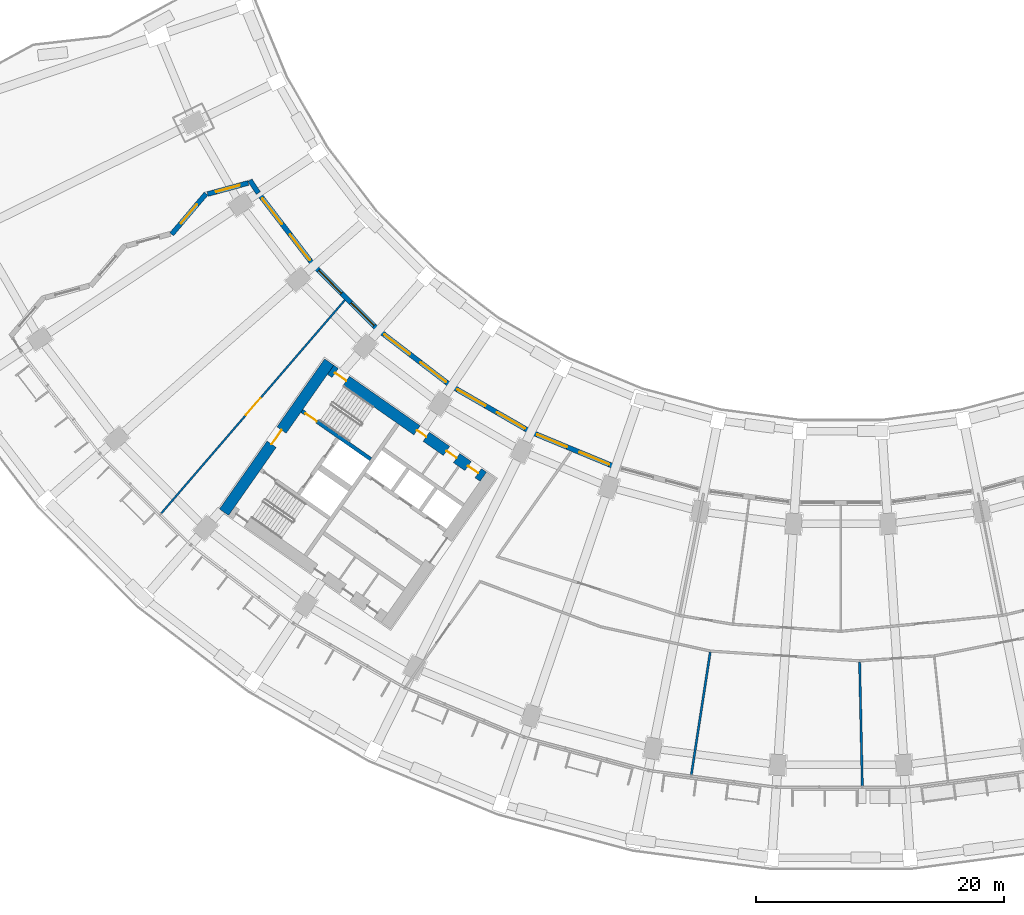
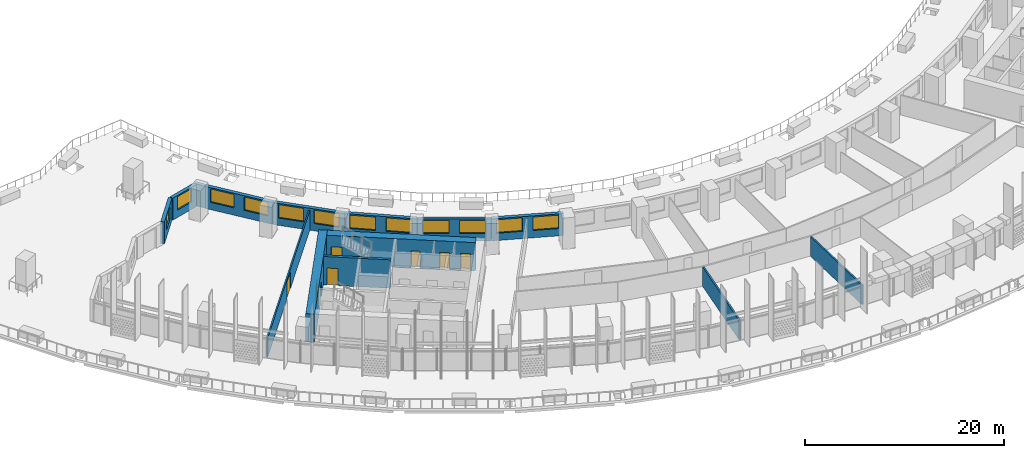
# One storey, part 5 of 35: 14 walls, 12 windows, 7 doors, 19 openings.
"""IFC4 building model written with IfcOpenShell, lengths in metres."""

from ifc_helpers import new_model, si_unit, direction, frame, frame_2d, origin, place, context, subcontext, project, spatial, rectangle, extrude, material, layer, layer_set, type_object, element, fill, save


model = new_model("IFC4")

# Units and contexts
model_context = context("Model", 3, precision=1e-05, world=origin(), true_north=direction((0.0, 1.0)))
body_context = subcontext(model_context, "Body", "Model", "MODEL_VIEW")
ifc_project = project(units=[si_unit("LENGTHUNIT", "METRE"), si_unit("AREAUNIT", "SQUARE_METRE"), si_unit("VOLUMEUNIT", "CUBIC_METRE"), si_unit("PLANEANGLEUNIT", "RADIAN"), si_unit("MASSUNIT", "GRAM", prefix="KILO")], contexts=[model_context])

# Site, building, storey
site_placement = place(None, origin())
site = spatial("IfcSite", under=ifc_project, at=site_placement, CompositionType="ELEMENT")
building_placement = place(site_placement, origin())
building = spatial("IfcBuilding", under=site, at=building_placement, Name="Qamariyya Broadcast Tower", CompositionType="ELEMENT")
storey_placement = place(building_placement, frame((0.0, 0.0, 40.5)))
storey = spatial("IfcBuildingStorey", under=building, at=storey_placement, Name="L06", CompositionType="ELEMENT", Elevation=40.5)

# Wall, opening, door
ifc_material_1 = material(Name="Concrete C70/85", Category="concrete")
ifc_layer_1 = layer(ifc_material_1, 0.89990234375)
ifc_layer_set_1 = layer_set([ifc_layer_1], Name="Core wall 900 mm Concrete C70/85")
wall_type_1 = type_object("IfcWallType", Name="Core wall 900 mm Concrete C70/85", PredefinedType="SHEAR", material=ifc_layer_set_1)
wall_1_placement = place(storey_placement, frame((-49.778564453125, -57.191162109375, 0.0), z_axis=(0.0, 0.0, 1.0), x_axis=(0.573577477574, 0.819151315216, 0.0)))
wall_1 = element("IfcWall", 1, at=wall_1_placement, inside=storey, type_object=wall_type_1, Name="k-W-L06-WH", PredefinedType="SHEAR", context=body_context, shape_type="SweptSolid", body=[
    extrude(rectangle(XDim=14.800048828125, YDim=0.89990234375, at=frame_2d((7.39990234375, 0.0))), origin(), (0.0, 0.0, 1.0), 3.5),
])
opening_1_placement = place(wall_1_placement, frame((6.699951171875, 0.0, 0.0)))
opening_1 = element("IfcOpeningElement", 2, at=opening_1_placement, cuts=wall_1, Name="Opening KD2-W1", PredefinedType="OPENING", context=body_context, shape_type="SweptSolid", body=[
    extrude(rectangle(XDim=1.39990234375, YDim=2.10009765625, at=frame_2d((0.699951171875, 1.050048828125))), frame((0.0, 0.4599609375, 0.0), z_axis=(0.0, -1.0, 0.0), x_axis=(1.0, 0.0, 0.0)), (0.0, 0.0, 1.0), 0.919921875),
])
ifc_material_2 = material(Name="Steel fire-resisting door leaf", Category="steel")
door_type_1 = type_object("IfcDoorType", Name="Fire-fighting lobby door KD2", OperationType="DOUBLE_DOOR_SINGLE_SWING", PredefinedType="DOOR", material=ifc_material_2)
door_1_placement = place(opening_1_placement, origin())
door_1 = element("IfcDoor", 3, at=door_1_placement, inside=storey, type_object=door_type_1, Name="k-W-L06-WH-D14", OperationType="DOUBLE_DOOR_SINGLE_SWING", OverallHeight=2.10009765625, OverallWidth=1.39990234375, PredefinedType="DOOR", context=body_context, shape_type="SweptSolid", body=[
    extrude(rectangle(XDim=1.39990234375, YDim=2.10009765625, at=frame_2d((0.699951171875, 1.050048828125))), frame((0.0, 0.02490234375, 0.0), z_axis=(0.0, -1.0, 0.0), x_axis=(1.0, 0.0, 0.0)), (0.0, 0.0, 1.0), 0.050048828125),
])
fill(opening_1, door_1)

# Wall, openings, doors
wall_2_placement = place(storey_placement, frame((-28.8544921875, -54.32421875, 0.0), z_axis=(0.0, 0.0, 1.0), x_axis=(-0.819145767589, 0.573585400304, 0.0)))
wall_2 = element("IfcWall", 4, at=wall_2_placement, inside=storey, type_object=wall_type_1, Name="k-W-L06-WI", PredefinedType="SHEAR", context=body_context, shape_type="SweptSolid", body=[
    extrude(rectangle(XDim=15.04541015625, YDim=0.89990234375, at=frame_2d((7.522705078125, 0.0))), origin(), (0.0, 0.0, 1.0), 3.5),
])
opening_2_placement = place(wall_2_placement, frame((0.5, 0.0, 0.0)))
opening_2 = element("IfcOpeningElement", 5, at=opening_2_placement, cuts=wall_2, Name="Opening KD6-W2", PredefinedType="OPENING", context=body_context, shape_type="SweptSolid", body=[
    extrude(rectangle(XDim=1.0, YDim=2.10009765625, at=frame_2d((0.5, 1.050048828125))), frame((0.0, 0.4599609375, 0.0), z_axis=(0.0, -1.0, 0.0), x_axis=(1.0, 0.0, 0.0)), (0.0, 0.0, 1.0), 0.919921875),
])
opening_3_placement = place(wall_2_placement, frame((2.625, 0.0, 0.0)))
opening_3 = element("IfcOpeningElement", 6, at=opening_3_placement, cuts=wall_2, Name="Opening KD7-W1", PredefinedType="OPENING", context=body_context, shape_type="SweptSolid", body=[
    extrude(rectangle(XDim=1.0, YDim=2.10009765625, at=frame_2d((0.5, 1.050048828125))), frame((0.0, 0.4599609375, 0.0), z_axis=(0.0, -1.0, 0.0), x_axis=(1.0, 0.0, 0.0)), (0.0, 0.0, 1.0), 0.919921875),
])
opening_4_placement = place(wall_2_placement, frame((5.625, 0.0, 0.0)))
opening_4 = element("IfcOpeningElement", 7, at=opening_4_placement, cuts=wall_2, Name="Opening KD5-W1", PredefinedType="OPENING", context=body_context, shape_type="SweptSolid", body=[
    extrude(rectangle(XDim=0.89990234375, YDim=2.10009765625, at=frame_2d((0.449951171875, 1.050048828125))), frame((0.0, 0.4599609375, 0.0), z_axis=(0.0, -1.0, 0.0), x_axis=(1.0, 0.0, 0.0)), (0.0, 0.0, 1.0), 0.919921875),
])
opening_5_placement = place(wall_2_placement, frame((13.495361328125, 0.0, 0.0)))
opening_5 = element("IfcOpeningElement", 8, at=opening_5_placement, cuts=wall_2, Name="Opening KD1-W1", PredefinedType="OPENING", context=body_context, shape_type="SweptSolid", body=[
    extrude(rectangle(XDim=1.10009765625, YDim=2.10009765625, at=frame_2d((0.550048828125, 1.050048828125))), frame((0.0, 0.4599609375, 0.0), z_axis=(0.0, -1.0, 0.0), x_axis=(1.0, 0.0, 0.0)), (0.0, 0.0, 1.0), 0.919921875),
])
door_type_2 = type_object("IfcDoorType", Name="Accessible toilet door KD7", OperationType="SINGLE_SWING_LEFT", PredefinedType="DOOR", material=ifc_material_2)
door_2_placement = place(opening_3_placement, origin())
door_2 = element("IfcDoor", 9, at=door_2_placement, inside=storey, type_object=door_type_2, Name="k-W-L06-WI-D7", OperationType="SINGLE_SWING_RIGHT", OverallHeight=2.10009765625, OverallWidth=1.0, PredefinedType="DOOR", context=body_context, shape_type="SweptSolid", body=[
    extrude(rectangle(XDim=1.0, YDim=2.10009765625, at=frame_2d((0.5, 1.050048828125))), frame((0.0, 0.02490234375, 0.0), z_axis=(0.0, -1.0, 0.0), x_axis=(1.0, 0.0, 0.0)), (0.0, 0.0, 1.0), 0.050048828125),
])
fill(opening_3, door_2)
door_type_3 = type_object("IfcDoorType", Name="Core room door KD6", OperationType="SINGLE_SWING_LEFT", PredefinedType="DOOR", material=ifc_material_2)
door_3_placement = place(opening_2_placement, origin())
door_3 = element("IfcDoor", 10, at=door_3_placement, inside=storey, type_object=door_type_3, Name="k-W-L06-WI-D6", OperationType="SINGLE_SWING_LEFT", OverallHeight=2.10009765625, OverallWidth=1.0, PredefinedType="DOOR", context=body_context, shape_type="SweptSolid", body=[
    extrude(rectangle(XDim=1.0, YDim=2.10009765625, at=frame_2d((0.5, 1.050048828125))), frame((0.0, 0.02490234375, 0.0), z_axis=(0.0, -1.0, 0.0), x_axis=(1.0, 0.0, 0.0)), (0.0, 0.0, 1.0), 0.050048828125),
])
fill(opening_2, door_3)
door_type_4 = type_object("IfcDoorType", Name="Stair door KD1", OperationType="SINGLE_SWING_LEFT", PredefinedType="DOOR", material=ifc_material_2)
door_4_placement = place(opening_5_placement, origin())
door_4 = element("IfcDoor", 11, at=door_4_placement, inside=storey, type_object=door_type_4, Name="k-W-L06-WI-D15", OperationType="SINGLE_SWING_RIGHT", OverallHeight=2.10009765625, OverallWidth=1.10009765625, PredefinedType="DOOR", context=body_context, shape_type="SweptSolid", body=[
    extrude(rectangle(XDim=1.10009765625, YDim=2.10009765625, at=frame_2d((0.550048828125, 1.050048828125))), frame((0.0, 0.02490234375, 0.0), z_axis=(0.0, -1.0, 0.0), x_axis=(1.0, 0.0, 0.0)), (0.0, 0.0, 1.0), 0.050048828125),
])
fill(opening_5, door_4)
door_type_5 = type_object("IfcDoorType", Name="Toilet door KD5", OperationType="SINGLE_SWING_LEFT", PredefinedType="DOOR", material=ifc_material_2)
door_5_placement = place(opening_4_placement, origin())
door_5 = element("IfcDoor", 12, at=door_5_placement, inside=storey, type_object=door_type_5, Name="k-W-L06-WI-D8", OperationType="SINGLE_SWING_LEFT", OverallHeight=2.10009765625, OverallWidth=0.89990234375, PredefinedType="DOOR", context=body_context, shape_type="SweptSolid", body=[
    extrude(rectangle(XDim=0.89990234375, YDim=2.10009765625, at=frame_2d((0.449951171875, 1.050048828125))), frame((0.0, 0.02490234375, 0.0), z_axis=(0.0, -1.0, 0.0), x_axis=(1.0, 0.0, 0.0)), (0.0, 0.0, 1.0), 0.050048828125),
])
fill(opening_4, door_5)

# Wall, opening, door
ifc_material_3 = material(Name="Gypsum board partition")
ifc_layer_2 = layer(ifc_material_3, 0.14990234375)
ifc_layer_set_2 = layer_set([ifc_layer_2], Name="Corridor partition 150 EI 60")
wall_type_2 = type_object("IfcWallType", Name="Corridor partition 150 EI 60", PredefinedType="PARTITIONING", material=ifc_layer_set_2)
wall_3_placement = place(storey_placement, frame((-54.842041015625, -57.27685546875, 0.0), z_axis=(0.0, 0.0, 1.0), x_axis=(0.652471531746, 0.757813235739, 0.0)))
wall_3 = element("IfcWall", 13, at=wall_3_placement, inside=storey, type_object=wall_type_2, Name="Partition L06-001", PredefinedType="PARTITIONING", context=body_context, shape_type="SweptSolid", body=[
    extrude(rectangle(XDim=22.71484375, YDim=0.14990234375, at=frame_2d((11.357421875, 0.0))), origin(), (0.0, 0.0, 1.0), 2.39990234375),
])
opening_6_placement = place(wall_3_placement, frame((10.45751953125, 0.0, 0.0)))
opening_6 = element("IfcOpeningElement", 14, at=opening_6_placement, cuts=wall_3, Name="Opening L06-D11", PredefinedType="OPENING", context=body_context, shape_type="SweptSolid", body=[
    extrude(rectangle(XDim=1.800048828125, YDim=2.10009765625, at=frame_2d((0.89990234375, 1.050048828125))), frame((0.0, 0.0849609375, 0.0), z_axis=(0.0, -1.0, 0.0), x_axis=(1.0, 0.0, 0.0)), (0.0, 0.0, 1.0), 0.169921875),
])
ifc_material_4 = material(Name="Timber fire door leaf", Category="wood")
door_type_6 = type_object("IfcDoorType", Name="Double fire door 1800 x 2100 FD60", OperationType="NOTDEFINED", PredefinedType="DOOR", material=ifc_material_4)
door_6_placement = place(opening_6_placement, origin())
door_6 = element("IfcDoor", 15, at=door_6_placement, inside=storey, type_object=door_type_6, Name="Door L06-D11", OperationType="DOUBLE_DOOR_SINGLE_SWING", OverallHeight=2.10009765625, OverallWidth=1.800048828125, PredefinedType="DOOR", context=body_context, shape_type="SweptSolid", body=[
    extrude(rectangle(XDim=1.800048828125, YDim=2.10009765625, at=frame_2d((0.89990234375, 1.050048828125))), frame((0.0, 0.02490234375, 0.0), z_axis=(0.0, -1.0, 0.0), x_axis=(1.0, 0.0, 0.0)), (0.0, 0.0, 1.0), 0.050048828125),
])
fill(opening_6, door_6)

ifc_material_5 = material(Name="Concrete C60/75", Category="concrete")
ifc_layer_3 = layer(ifc_material_5, 0.300048828125)
ifc_layer_set_3 = layer_set([ifc_layer_3], Name="Lift shaft wall 300 mm Concrete C60/75")
wall_type_3 = type_object("IfcWallType", Name="Lift shaft wall 300 mm Concrete C60/75", PredefinedType="SOLIDWALL", material=ifc_layer_set_3)
wall_4_placement = place(storey_placement, frame((-37.935546875, -52.90966796875, 0.0), z_axis=(0.0, 0.0, 1.0), x_axis=(-0.819147518138, 0.57358290031, 0.0)))
wall_4 = element("IfcWall", 16, at=wall_4_placement, inside=storey, type_object=wall_type_3, Name="k-W-L06-NW", PredefinedType="SOLIDWALL", context=body_context, shape_type="SweptSolid", body=[
    extrude(rectangle(XDim=6.79541015625, YDim=0.300048828125, at=frame_2d((3.397705078125, 0.0))), origin(), (0.0, 0.0, 1.0), 3.5),
])
opening_7_placement = place(wall_4_placement, frame((5.3203125, 0.0, 0.0)))
opening_7 = element("IfcOpeningElement", 17, at=opening_7_placement, cuts=wall_4, Name="Opening KD1-W2", PredefinedType="OPENING", context=body_context, shape_type="SweptSolid", body=[
    extrude(rectangle(XDim=1.10009765625, YDim=2.10009765625, at=frame_2d((0.550048828125, 1.050048828125))), frame((0.0, 0.159912109375, 0.0), z_axis=(0.0, -1.0, 0.0), x_axis=(1.0, 0.0, 0.0)), (0.0, 0.0, 1.0), 0.320068359375),
])
door_7_placement = place(opening_7_placement, origin())
door_7 = element("IfcDoor", 18, at=door_7_placement, inside=storey, type_object=door_type_4, Name="k-W-L06-NW-D16", OperationType="SINGLE_SWING_LEFT", OverallHeight=2.10009765625, OverallWidth=1.10009765625, PredefinedType="DOOR", context=body_context, shape_type="SweptSolid", body=[
    extrude(rectangle(XDim=1.10009765625, YDim=2.10009765625, at=frame_2d((0.550048828125, 1.050048828125))), frame((0.0, 0.02490234375, 0.0), z_axis=(0.0, -1.0, 0.0), x_axis=(1.0, 0.0, 0.0)), (0.0, 0.0, 1.0), 0.050048828125),
])
fill(opening_7, door_7)

# Walls
ifc_layer_4 = layer(ifc_material_3, 0.179931640625)
ifc_layer_set_4 = layer_set([ifc_layer_4], Name="Studio acoustic partition 180 EI 60")
wall_type_4 = type_object("IfcWallType", Name="Studio acoustic partition 180 EI 60", PredefinedType="PARTITIONING", material=ifc_layer_set_4)
wall_5_placement = place(storey_placement, frame((-12.0654296875, -78.375244140625, 0.0), z_axis=(0.0, 0.0, 1.0), x_axis=(0.152167165938, 0.988354771128, 0.0)))
element("IfcWall", 19, at=wall_5_placement, inside=storey, type_object=wall_type_4, Name="Partition L06-008", PredefinedType="PARTITIONING", context=body_context, shape_type="SweptSolid", body=[
    extrude(rectangle(XDim=10.00830078125, YDim=0.179931640625, at=frame_2d((5.004150390625, 0.0))), origin(), (0.0, 0.0, 1.0), 2.39990234375),
])
wall_6_placement = place(storey_placement, frame((1.732177734375, -79.279541015625, 0.0), z_axis=(0.0, 0.0, 1.0), x_axis=(-0.021856434383, 0.999761119606, 0.0)))
element("IfcWall", 20, at=wall_6_placement, inside=storey, type_object=wall_type_4, Name="Partition L06-016", PredefinedType="PARTITIONING", context=body_context, shape_type="SweptSolid", body=[
    extrude(rectangle(XDim=10.008544921875, YDim=0.179931640625, at=frame_2d((5.00439453125, 0.0))), origin(), (0.0, 0.0, 1.0), 2.39990234375),
])

# Wall, opening, window
ifc_material_6 = material(Name="Terracotta", Category="masonry")
ifc_layer_5 = layer(ifc_material_6, 0.39990234375)
ifc_layer_set_5 = layer_set([ifc_layer_5], Name="Terracotta clad wall 400")
wall_type_5 = type_object("IfcWallType", Name="Terracotta clad wall 400", PredefinedType="SOLIDWALL", material=ifc_layer_set_5)
wall_7_placement = place(storey_placement, frame((-47.825927734375, -30.615478515625, 0.0), z_axis=(0.0, 0.0, 1.0), x_axis=(-0.964419349493, -0.264377227315, 0.0)))
wall_7 = element("IfcWall", 21, at=wall_7_placement, inside=storey, type_object=wall_type_5, Name="e-wl-L06-capW0", PredefinedType="SOLIDWALL", context=body_context, shape_type="SweptSolid", body=[
    extrude(rectangle(XDim=3.393798828125, YDim=0.39990234375, at=frame_2d((1.69677734375, 0.0))), origin(), (0.0, 0.0, 1.0), 2.699951171875),
])
opening_8_placement = place(wall_7_placement, frame((0.697021484375, 0.0, 0.89990234375)))
opening_8 = element("IfcOpeningElement", 22, at=opening_8_placement, cuts=wall_7, Name="Opening W2", PredefinedType="OPENING", context=body_context, shape_type="SweptSolid", body=[
    extrude(rectangle(XDim=2.0, YDim=1.64990234375, at=frame_2d((1.0, 0.824951171875))), frame((0.0, 0.2099609375, 0.0), z_axis=(0.0, -1.0, 0.0), x_axis=(1.0, 0.0, 0.0)), (0.0, 0.0, 1.0), 0.419921875),
])
ifc_material_7 = material(Name="Clear low-e double glazed unit in aluminium frame", Category="aluminium")
window_type_1 = type_object("IfcWindowType", Name="Facade window 2000 x 1650", PartitioningType="SINGLE_PANEL", PredefinedType="WINDOW", material=ifc_material_7)
window_1_placement = place(opening_8_placement, origin())
window_1 = element("IfcWindow", 23, at=window_1_placement, inside=storey, type_object=window_type_1, Name="e-w-L06-capW0", OverallHeight=1.64990234375, OverallWidth=2.0, PartitioningType="SINGLE_PANEL", PredefinedType="WINDOW", context=body_context, shape_type="SweptSolid", body=[
    extrude(rectangle(XDim=2.0, YDim=1.64990234375, at=frame_2d((1.0, 0.824951171875))), frame((0.0, 0.030029296875, 0.0), z_axis=(0.0, -1.0, 0.0), x_axis=(1.0, 0.0, 0.0)), (0.0, 0.0, 1.0), 0.06005859375),
])
fill(opening_8, window_1)

wall_8_placement = place(storey_placement, frame((-51.223876953125, -31.482421875, 0.0), z_axis=(0.0, 0.0, 1.0), x_axis=(-0.64718969681, -0.76232899482, 0.0)))
wall_8 = element("IfcWall", 24, at=wall_8_placement, inside=storey, type_object=wall_type_5, Name="e-wl-L06-capW1", PredefinedType="SOLIDWALL", context=body_context, shape_type="SweptSolid", body=[
    extrude(rectangle(XDim=4.2958984375, YDim=0.39990234375, at=frame_2d((2.14794921875, 0.0))), origin(), (0.0, 0.0, 1.0), 2.699951171875),
])
opening_9_placement = place(wall_8_placement, frame((1.14794921875, 0.0, 0.89990234375)))
opening_9 = element("IfcOpeningElement", 25, at=opening_9_placement, cuts=wall_8, Name="Opening W2", PredefinedType="OPENING", context=body_context, shape_type="SweptSolid", body=[
    extrude(rectangle(XDim=2.0, YDim=1.64990234375, at=frame_2d((1.0, 0.824951171875))), frame((0.0, 0.2099609375, 0.0), z_axis=(0.0, -1.0, 0.0), x_axis=(1.0, 0.0, 0.0)), (0.0, 0.0, 1.0), 0.419921875),
])
window_2_placement = place(opening_9_placement, origin())
window_2 = element("IfcWindow", 26, at=window_2_placement, inside=storey, type_object=window_type_1, Name="e-w-L06-capW1", OverallHeight=1.64990234375, OverallWidth=2.0, PartitioningType="SINGLE_PANEL", PredefinedType="WINDOW", context=body_context, shape_type="SweptSolid", body=[
    extrude(rectangle(XDim=2.0, YDim=1.64990234375, at=frame_2d((1.0, 0.824951171875))), frame((0.0, 0.030029296875, 0.0), z_axis=(0.0, -1.0, 0.0), x_axis=(1.0, 0.0, 0.0)), (0.0, 0.0, 1.0), 0.06005859375),
])
fill(opening_9, window_2)

# Wall
wall_9_placement = place(storey_placement, frame((-47.00830078125, -31.4345703125, 0.0), z_axis=(0.0, 0.0, 1.0), x_axis=(-0.546858928342, 0.837224768203, 0.0)))
element("IfcWall", 27, at=wall_9_placement, inside=storey, type_object=wall_type_5, Name="e-wl-L06-in00", PredefinedType="SOLIDWALL", context=body_context, shape_type="SweptSolid", body=[
    extrude(rectangle(XDim=1.246826171875, YDim=0.39990234375, at=frame_2d((0.62353515625, 0.0))), origin(), (0.0, 0.0, 1.0), 2.699951171875),
])

# Wall, openings, windows
wall_10_placement = place(storey_placement, frame((-42.5478515625, -37.24609375, 0.0), z_axis=(0.0, 0.0, 1.0), x_axis=(-0.608737161256, 0.793371961003, 0.0)))
wall_10 = element("IfcWall", 28, at=wall_10_placement, inside=storey, type_object=wall_type_5, Name="e-wl-L06-in10", PredefinedType="SOLIDWALL", context=body_context, shape_type="SweptSolid", body=[
    extrude(rectangle(XDim=7.31103515625, YDim=0.39990234375, at=frame_2d((3.655517578125, 0.0))), origin(), (0.0, 0.0, 1.0), 2.699951171875),
])
opening_10_placement = place(wall_10_placement, frame((4.190673828125, 0.0, 0.89990234375)))
opening_10 = element("IfcOpeningElement", 29, at=opening_10_placement, cuts=wall_10, Name="Opening W1", PredefinedType="OPENING", context=body_context, shape_type="SweptSolid", body=[
    extrude(rectangle(XDim=2.60009765625, YDim=1.64990234375, at=frame_2d((1.300048828125, 0.824951171875))), frame((0.0, 0.2099609375, 0.0), z_axis=(0.0, -1.0, 0.0), x_axis=(1.0, 0.0, 0.0)), (0.0, 0.0, 1.0), 0.419921875),
])
opening_11_placement = place(wall_10_placement, frame((0.505126953125, 0.0, 0.89990234375)))
opening_11 = element("IfcOpeningElement", 30, at=opening_11_placement, cuts=wall_10, Name="Opening W1", PredefinedType="OPENING", context=body_context, shape_type="SweptSolid", body=[
    extrude(rectangle(XDim=2.60009765625, YDim=1.64990234375, at=frame_2d((1.300048828125, 0.824951171875))), frame((0.0, 0.2099609375, 0.0), z_axis=(0.0, -1.0, 0.0), x_axis=(1.0, 0.0, 0.0)), (0.0, 0.0, 1.0), 0.419921875),
])
window_type_2 = type_object("IfcWindowType", Name="Ribbon window 2600 x 1650", PartitioningType="SINGLE_PANEL", PredefinedType="WINDOW", material=ifc_material_7)
window_3_placement = place(opening_10_placement, origin())
window_3 = element("IfcWindow", 31, at=window_3_placement, inside=storey, type_object=window_type_2, Name="e-w-L06-in01-0", OverallHeight=1.64990234375, OverallWidth=2.60009765625, PartitioningType="SINGLE_PANEL", PredefinedType="WINDOW", context=body_context, shape_type="SweptSolid", body=[
    extrude(rectangle(XDim=2.60009765625, YDim=1.64990234375, at=frame_2d((1.300048828125, 0.824951171875))), frame((0.0, 0.030029296875, 0.0), z_axis=(0.0, -1.0, 0.0), x_axis=(1.0, 0.0, 0.0)), (0.0, 0.0, 1.0), 0.06005859375),
])
fill(opening_10, window_3)
window_4_placement = place(opening_11_placement, origin())
window_4 = element("IfcWindow", 32, at=window_4_placement, inside=storey, type_object=window_type_2, Name="e-w-L06-in01-1", OverallHeight=1.64990234375, OverallWidth=2.60009765625, PartitioningType="SINGLE_PANEL", PredefinedType="WINDOW", context=body_context, shape_type="SweptSolid", body=[
    extrude(rectangle(XDim=2.60009765625, YDim=1.64990234375, at=frame_2d((1.300048828125, 0.824951171875))), frame((0.0, 0.030029296875, 0.0), z_axis=(0.0, -1.0, 0.0), x_axis=(1.0, 0.0, 0.0)), (0.0, 0.0, 1.0), 0.06005859375),
])
fill(opening_11, window_4)

wall_11_placement = place(storey_placement, frame((-37.2685546875, -42.534423828125, 0.0), z_axis=(0.0, 0.0, 1.0), x_axis=(-0.707106781187, 0.707106781187, 0.0)))
wall_11 = element("IfcWall", 33, at=wall_11_placement, inside=storey, type_object=wall_type_5, Name="e-wl-L06-in20", PredefinedType="SOLIDWALL", context=body_context, shape_type="SweptSolid", body=[
    extrude(rectangle(XDim=7.447021484375, YDim=0.39990234375, at=frame_2d((3.7236328125, 0.0))), origin(), (0.0, 0.0, 1.0), 2.699951171875),
])
opening_12_placement = place(wall_11_placement, frame((4.266357421875, 0.0, 0.89990234375)))
opening_12 = element("IfcOpeningElement", 34, at=opening_12_placement, cuts=wall_11, Name="Opening W1", PredefinedType="OPENING", context=body_context, shape_type="SweptSolid", body=[
    extrude(rectangle(XDim=2.60009765625, YDim=1.64990234375, at=frame_2d((1.300048828125, 0.824951171875))), frame((0.0, 0.2099609375, 0.0), z_axis=(0.0, -1.0, 0.0), x_axis=(1.0, 0.0, 0.0)), (0.0, 0.0, 1.0), 0.419921875),
])
opening_13_placement = place(wall_11_placement, frame((0.580810546875, 0.0, 0.89990234375)))
opening_13 = element("IfcOpeningElement", 35, at=opening_13_placement, cuts=wall_11, Name="Opening W1", PredefinedType="OPENING", context=body_context, shape_type="SweptSolid", body=[
    extrude(rectangle(XDim=2.60009765625, YDim=1.64990234375, at=frame_2d((1.300048828125, 0.824951171875))), frame((0.0, 0.2099609375, 0.0), z_axis=(0.0, -1.0, 0.0), x_axis=(1.0, 0.0, 0.0)), (0.0, 0.0, 1.0), 0.419921875),
])
window_5_placement = place(opening_12_placement, origin())
window_5 = element("IfcWindow", 36, at=window_5_placement, inside=storey, type_object=window_type_2, Name="e-w-L06-in02-0", OverallHeight=1.64990234375, OverallWidth=2.60009765625, PartitioningType="SINGLE_PANEL", PredefinedType="WINDOW", context=body_context, shape_type="SweptSolid", body=[
    extrude(rectangle(XDim=2.60009765625, YDim=1.64990234375, at=frame_2d((1.300048828125, 0.824951171875))), frame((0.0, 0.030029296875, 0.0), z_axis=(0.0, -1.0, 0.0), x_axis=(1.0, 0.0, 0.0)), (0.0, 0.0, 1.0), 0.06005859375),
])
fill(opening_12, window_5)
window_6_placement = place(opening_13_placement, origin())
window_6 = element("IfcWindow", 37, at=window_6_placement, inside=storey, type_object=window_type_2, Name="e-w-L06-in02-1", OverallHeight=1.64990234375, OverallWidth=2.60009765625, PartitioningType="SINGLE_PANEL", PredefinedType="WINDOW", context=body_context, shape_type="SweptSolid", body=[
    extrude(rectangle(XDim=2.60009765625, YDim=1.64990234375, at=frame_2d((1.300048828125, 0.824951171875))), frame((0.0, 0.030029296875, 0.0), z_axis=(0.0, -1.0, 0.0), x_axis=(1.0, 0.0, 0.0)), (0.0, 0.0, 1.0), 0.06005859375),
])
fill(opening_13, window_6)

wall_12_placement = place(storey_placement, frame((-31.4580078125, -46.989013671875, 0.0), z_axis=(0.0, 0.0, 1.0), x_axis=(-0.79336607943, 0.60874482668, 0.0)))
wall_12 = element("IfcWall", 38, at=wall_12_placement, inside=storey, type_object=wall_type_5, Name="e-wl-L06-in30", PredefinedType="SOLIDWALL", context=body_context, shape_type="SweptSolid", body=[
    extrude(rectangle(XDim=7.295654296875, YDim=0.39990234375, at=frame_2d((3.64794921875, 0.0))), origin(), (0.0, 0.0, 1.0), 2.699951171875),
])
opening_14_placement = place(wall_12_placement, frame((4.190673828125, 0.0, 0.89990234375)))
opening_14 = element("IfcOpeningElement", 39, at=opening_14_placement, cuts=wall_12, Name="Opening W1", PredefinedType="OPENING", context=body_context, shape_type="SweptSolid", body=[
    extrude(rectangle(XDim=2.60009765625, YDim=1.64990234375, at=frame_2d((1.300048828125, 0.824951171875))), frame((0.0, 0.2099609375, 0.0), z_axis=(0.0, -1.0, 0.0), x_axis=(1.0, 0.0, 0.0)), (0.0, 0.0, 1.0), 0.419921875),
])
opening_15_placement = place(wall_12_placement, frame((0.505126953125, 0.0, 0.89990234375)))
opening_15 = element("IfcOpeningElement", 40, at=opening_15_placement, cuts=wall_12, Name="Opening W1", PredefinedType="OPENING", context=body_context, shape_type="SweptSolid", body=[
    extrude(rectangle(XDim=2.60009765625, YDim=1.64990234375, at=frame_2d((1.300048828125, 0.824951171875))), frame((0.0, 0.2099609375, 0.0), z_axis=(0.0, -1.0, 0.0), x_axis=(1.0, 0.0, 0.0)), (0.0, 0.0, 1.0), 0.419921875),
])
window_7_placement = place(opening_14_placement, origin())
window_7 = element("IfcWindow", 41, at=window_7_placement, inside=storey, type_object=window_type_2, Name="e-w-L06-in03-0", OverallHeight=1.64990234375, OverallWidth=2.60009765625, PartitioningType="SINGLE_PANEL", PredefinedType="WINDOW", context=body_context, shape_type="SweptSolid", body=[
    extrude(rectangle(XDim=2.60009765625, YDim=1.64990234375, at=frame_2d((1.300048828125, 0.824951171875))), frame((0.0, 0.030029296875, 0.0), z_axis=(0.0, -1.0, 0.0), x_axis=(1.0, 0.0, 0.0)), (0.0, 0.0, 1.0), 0.06005859375),
])
fill(opening_14, window_7)
window_8_placement = place(opening_15_placement, origin())
window_8 = element("IfcWindow", 42, at=window_8_placement, inside=storey, type_object=window_type_2, Name="e-w-L06-in03-1", OverallHeight=1.64990234375, OverallWidth=2.60009765625, PartitioningType="SINGLE_PANEL", PredefinedType="WINDOW", context=body_context, shape_type="SweptSolid", body=[
    extrude(rectangle(XDim=2.60009765625, YDim=1.64990234375, at=frame_2d((1.300048828125, 0.824951171875))), frame((0.0, 0.030029296875, 0.0), z_axis=(0.0, -1.0, 0.0), x_axis=(1.0, 0.0, 0.0)), (0.0, 0.0, 1.0), 0.06005859375),
])
fill(opening_15, window_8)

wall_13_placement = place(storey_placement, frame((-24.989990234375, -50.73095703125, 0.0), z_axis=(0.0, 0.0, 1.0), x_axis=(-0.866037641005, 0.499978803913, 0.0)))
wall_13 = element("IfcWall", 43, at=wall_13_placement, inside=storey, type_object=wall_type_5, Name="e-wl-L06-in40", PredefinedType="SOLIDWALL", context=body_context, shape_type="SweptSolid", body=[
    extrude(rectangle(XDim=7.447021484375, YDim=0.39990234375, at=frame_2d((3.7236328125, 0.0))), origin(), (0.0, 0.0, 1.0), 2.699951171875),
])
opening_16_placement = place(wall_13_placement, frame((4.266357421875, 0.0, 0.89990234375)))
opening_16 = element("IfcOpeningElement", 44, at=opening_16_placement, cuts=wall_13, Name="Opening W1", PredefinedType="OPENING", context=body_context, shape_type="SweptSolid", body=[
    extrude(rectangle(XDim=2.60009765625, YDim=1.64990234375, at=frame_2d((1.300048828125, 0.824951171875))), frame((0.0, 0.2099609375, 0.0), z_axis=(0.0, -1.0, 0.0), x_axis=(1.0, 0.0, 0.0)), (0.0, 0.0, 1.0), 0.419921875),
])
opening_17_placement = place(wall_13_placement, frame((0.580810546875, 0.0, 0.89990234375)))
opening_17 = element("IfcOpeningElement", 45, at=opening_17_placement, cuts=wall_13, Name="Opening W1", PredefinedType="OPENING", context=body_context, shape_type="SweptSolid", body=[
    extrude(rectangle(XDim=2.60009765625, YDim=1.64990234375, at=frame_2d((1.300048828125, 0.824951171875))), frame((0.0, 0.2099609375, 0.0), z_axis=(0.0, -1.0, 0.0), x_axis=(1.0, 0.0, 0.0)), (0.0, 0.0, 1.0), 0.419921875),
])
window_9_placement = place(opening_16_placement, origin())
window_9 = element("IfcWindow", 46, at=window_9_placement, inside=storey, type_object=window_type_2, Name="e-w-L06-in04-0", OverallHeight=1.64990234375, OverallWidth=2.60009765625, PartitioningType="SINGLE_PANEL", PredefinedType="WINDOW", context=body_context, shape_type="SweptSolid", body=[
    extrude(rectangle(XDim=2.60009765625, YDim=1.64990234375, at=frame_2d((1.300048828125, 0.824951171875))), frame((0.0, 0.030029296875, 0.0), z_axis=(0.0, -1.0, 0.0), x_axis=(1.0, 0.0, 0.0)), (0.0, 0.0, 1.0), 0.06005859375),
])
fill(opening_16, window_9)
window_10_placement = place(opening_17_placement, origin())
window_10 = element("IfcWindow", 47, at=window_10_placement, inside=storey, type_object=window_type_2, Name="e-w-L06-in04-1", OverallHeight=1.64990234375, OverallWidth=2.60009765625, PartitioningType="SINGLE_PANEL", PredefinedType="WINDOW", context=body_context, shape_type="SweptSolid", body=[
    extrude(rectangle(XDim=2.60009765625, YDim=1.64990234375, at=frame_2d((1.300048828125, 0.824951171875))), frame((0.0, 0.030029296875, 0.0), z_axis=(0.0, -1.0, 0.0), x_axis=(1.0, 0.0, 0.0)), (0.0, 0.0, 1.0), 0.06005859375),
])
fill(opening_17, window_10)

wall_14_placement = place(storey_placement, frame((-18.224365234375, -53.52978515625, 0.0), z_axis=(0.0, 0.0, 1.0), x_axis=(-0.923891626322, 0.382654234018, 0.0)))
wall_14 = element("IfcWall", 48, at=wall_14_placement, inside=storey, type_object=wall_type_5, Name="e-wl-L06-in50", PredefinedType="SOLIDWALL", context=body_context, shape_type="SweptSolid", body=[
    extrude(rectangle(XDim=7.295654296875, YDim=0.39990234375, at=frame_2d((3.64794921875, 0.0))), origin(), (0.0, 0.0, 1.0), 2.699951171875),
])
opening_18_placement = place(wall_14_placement, frame((4.190673828125, 0.0, 0.89990234375)))
opening_18 = element("IfcOpeningElement", 49, at=opening_18_placement, cuts=wall_14, Name="Opening W1", PredefinedType="OPENING", context=body_context, shape_type="SweptSolid", body=[
    extrude(rectangle(XDim=2.60009765625, YDim=1.64990234375, at=frame_2d((1.300048828125, 0.824951171875))), frame((0.0, 0.2099609375, 0.0), z_axis=(0.0, -1.0, 0.0), x_axis=(1.0, 0.0, 0.0)), (0.0, 0.0, 1.0), 0.419921875),
])
opening_19_placement = place(wall_14_placement, frame((0.505126953125, 0.0, 0.89990234375)))
opening_19 = element("IfcOpeningElement", 50, at=opening_19_placement, cuts=wall_14, Name="Opening W1", PredefinedType="OPENING", context=body_context, shape_type="SweptSolid", body=[
    extrude(rectangle(XDim=2.60009765625, YDim=1.64990234375, at=frame_2d((1.300048828125, 0.824951171875))), frame((0.0, 0.2099609375, 0.0), z_axis=(0.0, -1.0, 0.0), x_axis=(1.0, 0.0, 0.0)), (0.0, 0.0, 1.0), 0.419921875),
])
window_11_placement = place(opening_18_placement, origin())
window_11 = element("IfcWindow", 51, at=window_11_placement, inside=storey, type_object=window_type_2, Name="e-w-L06-in05-0", OverallHeight=1.64990234375, OverallWidth=2.60009765625, PartitioningType="SINGLE_PANEL", PredefinedType="WINDOW", context=body_context, shape_type="SweptSolid", body=[
    extrude(rectangle(XDim=2.60009765625, YDim=1.64990234375, at=frame_2d((1.300048828125, 0.824951171875))), frame((0.0, 0.030029296875, 0.0), z_axis=(0.0, -1.0, 0.0), x_axis=(1.0, 0.0, 0.0)), (0.0, 0.0, 1.0), 0.06005859375),
])
fill(opening_18, window_11)
window_12_placement = place(opening_19_placement, origin())
window_12 = element("IfcWindow", 52, at=window_12_placement, inside=storey, type_object=window_type_2, Name="e-w-L06-in05-1", OverallHeight=1.64990234375, OverallWidth=2.60009765625, PartitioningType="SINGLE_PANEL", PredefinedType="WINDOW", context=body_context, shape_type="SweptSolid", body=[
    extrude(rectangle(XDim=2.60009765625, YDim=1.64990234375, at=frame_2d((1.300048828125, 0.824951171875))), frame((0.0, 0.030029296875, 0.0), z_axis=(0.0, -1.0, 0.0), x_axis=(1.0, 0.0, 0.0)), (0.0, 0.0, 1.0), 0.06005859375),
])
fill(opening_19, window_12)

save(model, "model.ifc")
